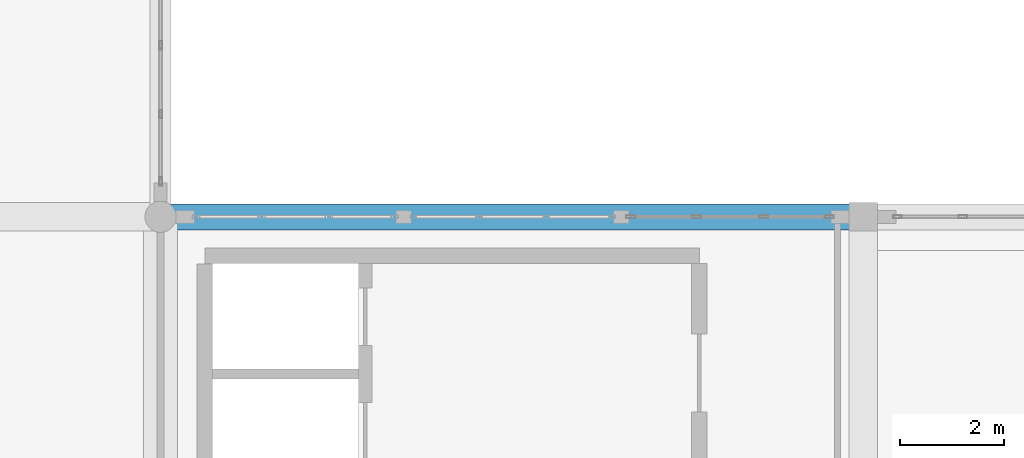
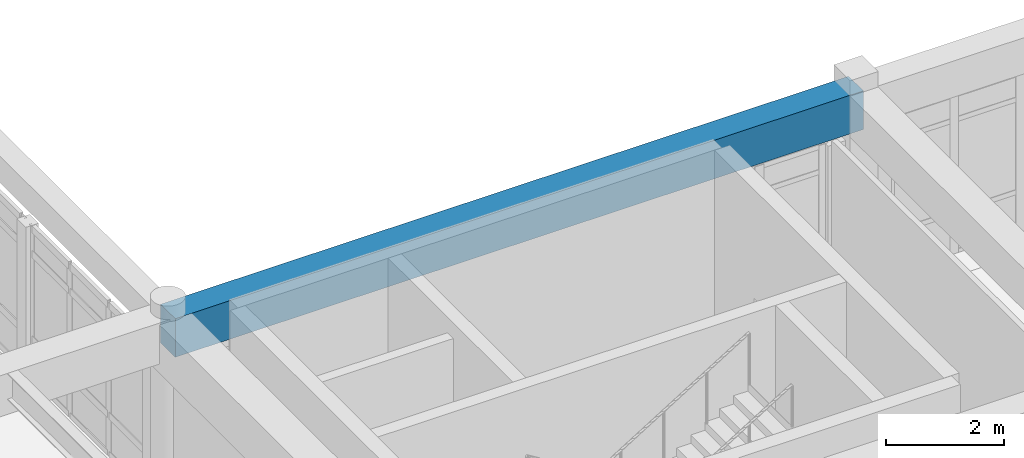
# One storey, part 5 of 109: 1 beam.
"""IFC4 building model written with IfcOpenShell, lengths in metres."""

from ifc_helpers import new_model, si_unit, direction, frame, origin, origin_2d, place, context, subcontext, project, spatial, rectangle, extrude, material, material_profile, profile_set, type_object, element, save


model = new_model("IFC4")

# Units and contexts
model_context = context("Model", 3, precision=1e-05, world=origin(), true_north=direction((0.0, 1.0)))
body_context = subcontext(model_context, "Body", "Model", "MODEL_VIEW")
ifc_project = project(units=[si_unit("LENGTHUNIT", "METRE"), si_unit("AREAUNIT", "SQUARE_METRE"), si_unit("VOLUMEUNIT", "CUBIC_METRE"), si_unit("PLANEANGLEUNIT", "RADIAN"), si_unit("MASSUNIT", "GRAM", prefix="KILO")], contexts=[model_context])

# Site, building, storey
site_placement = place(None, origin())
site = spatial("IfcSite", under=ifc_project, at=site_placement, CompositionType="ELEMENT")
building_placement = place(site_placement, origin())
building = spatial("IfcBuilding", under=site, at=building_placement, Name="Fikremerkos Civic Library", CompositionType="ELEMENT")
storey_placement = place(building_placement, frame((0.0, 0.0, 5.39990234375)))
storey = spatial("IfcBuildingStorey", under=building, at=storey_placement, Name="L01", CompositionType="ELEMENT", Elevation=5.39990234375)

# Beam
ifc_material = material(Name="Concrete C40/50", Category="concrete")
ifc_material_profile = material_profile(ifc_material, rectangle(XDim=0.5, YDim=0.800048828125, at=origin_2d()), Name="RC 500x800")
ifc_profile_set = profile_set([ifc_material_profile], Name="Concrete C40/50")
beam_type = type_object("IfcBeamType", Name="Primary girder BM-04 RC 500x800", PredefinedType="BEAM", material=ifc_profile_set)
beam_placement = place(storey_placement, frame((19.199951171875, 31.199951171875, 3.780029296875), z_axis=(1.0, 0.0, 0.0), x_axis=(0.0, 1.0, 0.0)))
element("IfcBeam", 1, at=beam_placement, inside=storey, type_object=beam_type, Name="Primary girder BM-04 L01 grid G", PredefinedType="BEAM", context=body_context, shape_type="SweptSolid", body=[
    extrude(rectangle(XDim=0.5, YDim=0.800048828125, at=origin_2d()), origin(), (0.0, 0.0, 1.0), 13.5),
])

save(model, "model.ifc")
